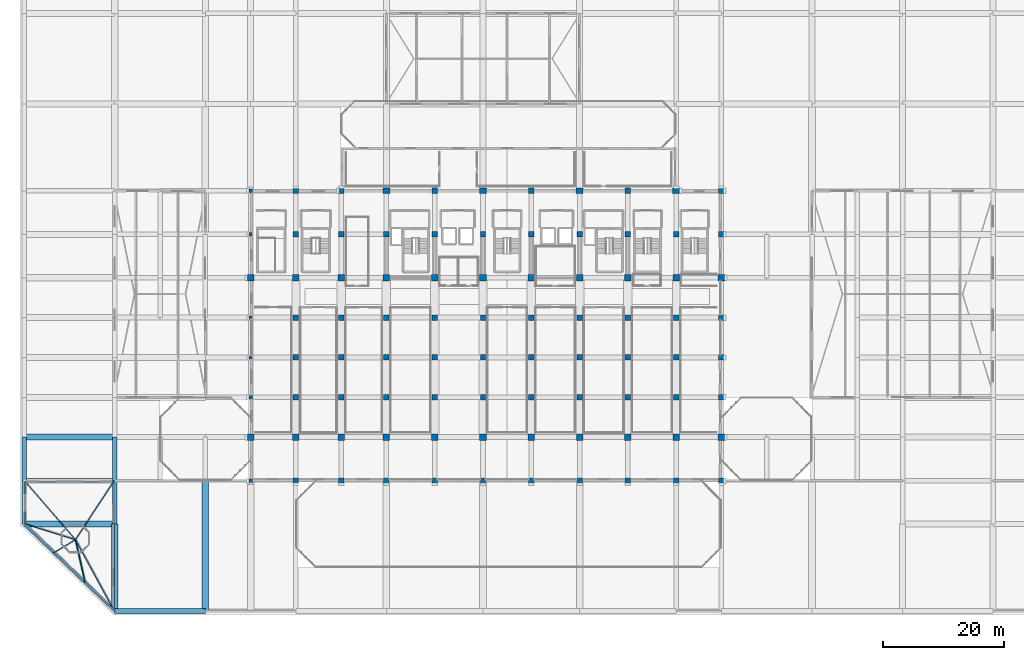
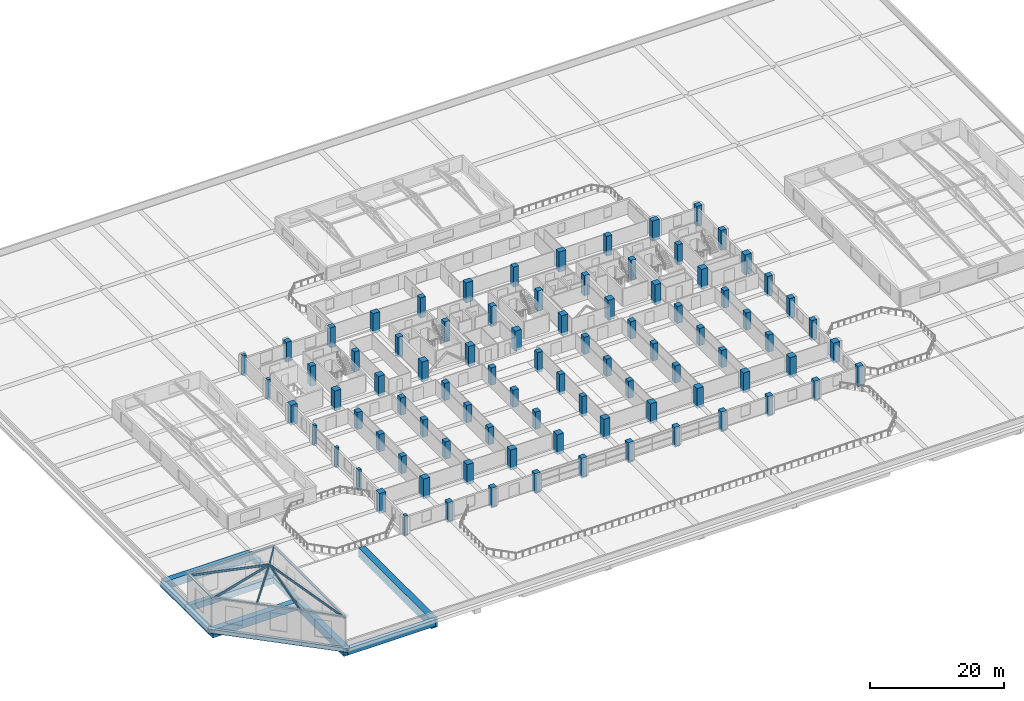
# One storey, part 1 of 49: 88 columns, 13 beams, 12 members.
"""IFC4 building model written with IfcOpenShell, lengths in metres."""

from ifc_helpers import new_model, si_unit, direction, frame, origin, origin_2d, place, context, subcontext, project, spatial, rectangle, i_section, extrude, material, material_profile, profile_set, type_object, element, save


model = new_model("IFC4")

# Units and contexts
model_context = context("Model", 3, precision=1e-05, world=origin(), true_north=direction((0.0, 1.0)))
body_context = subcontext(model_context, "Body", "Model", "MODEL_VIEW")
ifc_project = project(units=[si_unit("LENGTHUNIT", "METRE"), si_unit("AREAUNIT", "SQUARE_METRE"), si_unit("VOLUMEUNIT", "CUBIC_METRE"), si_unit("PLANEANGLEUNIT", "RADIAN"), si_unit("MASSUNIT", "GRAM", prefix="KILO")], contexts=[model_context])

# Site, building, storey
site_placement = place(None, origin())
site = spatial("IfcSite", under=ifc_project, at=site_placement, CompositionType="ELEMENT")
building_placement = place(site_placement, origin())
building = spatial("IfcBuilding", under=site, at=building_placement, Name="Akrevak Sports Hall", CompositionType="ELEMENT")
storey_placement = place(building_placement, frame((0.0, 0.0, 24.14990234375)))
storey = spatial("IfcBuildingStorey", under=building, at=storey_placement, Name="L04", CompositionType="ELEMENT", Elevation=24.14990234375)

# Columns
ifc_material_1 = material(Name="Concrete C50/60", Category="concrete")
ifc_material_profile_1 = material_profile(ifc_material_1, rectangle(XDim=1.10009765625, YDim=1.10009765625, at=origin_2d()), Name="RC 1100x1100", Category="concrete")
ifc_profile_set_1 = profile_set([ifc_material_profile_1], Name="Concrete C50/60")
column_type_1 = type_object("IfcColumnType", Name="STR-COL-RC1100", PredefinedType="COLUMN", material=ifc_profile_set_1)
for number, where, z_axis, x_axis, name in (
    (1, (37.5, 28.800048828125, -0.5), (0.0, 0.0, 1.0), (1.0, 0.0, 0.0), "Column 6/E (L04)"),
    (2, (37.5, 55.199951171875, -0.5), (0.0, 0.0, 1.0), (1.0, 0.0, 0.0), "Column 6/I (L04)"),
    (3, (45.0, 28.800048828125, -0.5), (0.0, 0.0, 1.0), (1.0, 0.0, 0.0), "Column 7/E (L04)"),
    (4, (45.0, 55.199951171875, -0.5), (0.0, 0.0, 1.0), (1.0, 0.0, 0.0), "Column 7/I (L04)"),
    (5, (52.5, 28.800048828125, -0.5), (0.0, 0.0, 1.0), (1.0, 0.0, 0.0), "Column 8/E (L04)"),
    (6, (52.5, 55.199951171875, -0.5), (0.0, 0.0, 1.0), (1.0, 0.0, 0.0), "Column 8/I (L04)"),
    (7, (60.0, 28.800048828125, -0.5), (0.0, 0.0, 1.0), (1.0, 0.0, 0.0), "Column 9/E (L04)"),
    (8, (60.0, 55.199951171875, -0.5), (0.0, 0.0, 1.0), (1.0, 0.0, 0.0), "Column 9/I (L04)"),
    (9, (68.0, 28.800048828125, -0.5), (0.0, 0.0, 1.0), (1.0, 0.0, 0.0), "Column 10/E (L04)"),
    (10, (68.0, 55.199951171875, -0.5), (0.0, 0.0, 1.0), (1.0, 0.0, 0.0), "Column 10/I (L04)"),
    (11, (76.0, 28.800048828125, -0.5), (0.0, 0.0, 1.0), (1.0, 0.0, 0.0), "Column 11/E (L04)"),
    (12, (76.0, 55.199951171875, -0.5), (0.0, 0.0, 1.0), (1.0, 0.0, 0.0), "Column 11/I (L04)"),
    (13, (84.0, 28.800048828125, -0.5), (0.0, 0.0, 1.0), (1.0, 0.0, 0.0), "Column 12/E (L04)"),
    (14, (84.0, 55.199951171875, -0.5), (0.0, 0.0, 1.0), (1.0, 0.0, 0.0), "Column 12/I (L04)"),
    (15, (92.0, 28.800048828125, -0.5), (0.0, 0.0, 1.0), (1.0, 0.0, 0.0), "Column 13/E (L04)"),
    (16, (92.0, 55.199951171875, -0.5), (0.0, 0.0, 1.0), (1.0, 0.0, 0.0), "Column 13/I (L04)"),
    (17, (100.0, 28.800048828125, -0.5), (0.0, 0.0, 1.0), (1.0, 0.0, 0.0), "Column 14/E (L04)"),
    (18, (100.0, 55.199951171875, -0.5), (0.0, 0.0, 1.0), (1.0, 0.0, 0.0), "Column 14/I (L04)"),
    (19, (108.0, 28.800048828125, -0.5), (0.0, 0.0, 1.0), (1.0, 0.0, 0.0), "Column 15/E (L04)"),
    (20, (108.0, 55.199951171875, -0.5), (0.0, 0.0, 1.0), (1.0, 0.0, 0.0), "Column 15/I (L04)"),
    (21, (115.5, 28.800048828125, -0.5), (0.0, 0.0, 1.0), (1.0, 0.0, 0.0), "Column 16/E (L04)"),
    (22, (115.5, 55.199951171875, -0.5), (0.0, 0.0, 1.0), (1.0, 0.0, 0.0), "Column 16/I (L04)"),
):
    element("IfcColumn", number, at=place(storey_placement, frame(where, z_axis=z_axis, x_axis=x_axis)), inside=storey, type_object=column_type_1, Name=name, PredefinedType="COLUMN", context=body_context, shape_type="SweptSolid", body=[
        extrude(rectangle(XDim=1.10009765625, YDim=1.10009765625, at=origin_2d()), origin(), (0.0, 0.0, 1.0), 3.64013671875),
    ])
ifc_material_profile_2 = material_profile(ifc_material_1, rectangle(XDim=1.199951171875, YDim=0.89990234375, at=origin_2d()), Name="RC 1200x900", Category="concrete")
ifc_profile_set_2 = profile_set([ifc_material_profile_2], Name="Concrete C50/60")
column_type_2 = type_object("IfcColumnType", Name="STR-COL-RC1200x900", PredefinedType="COLUMN", material=ifc_profile_set_2)
for number, where, z_axis, x_axis, name in (
    (23, (60.0, 69.60009765625, -0.5), (0.0, 0.0, 1.0), (1.0, 0.0, 0.0), "Column 9/K (L04)"),
    (24, (76.0, 69.60009765625, -0.5), (0.0, 0.0, 1.0), (1.0, 0.0, 0.0), "Column 11/K (L04)"),
    (25, (92.0, 69.60009765625, -0.5), (0.0, 0.0, 1.0), (1.0, 0.0, 0.0), "Column 13/K (L04)"),
    (26, (108.0, 69.60009765625, -0.5), (0.0, 0.0, 1.0), (1.0, 0.0, 0.0), "Column 15/K (L04)"),
):
    element("IfcColumn", number, at=place(storey_placement, frame(where, z_axis=z_axis, x_axis=x_axis)), inside=storey, type_object=column_type_2, Name=name, PredefinedType="COLUMN", context=body_context, shape_type="SweptSolid", body=[
        extrude(rectangle(XDim=1.199951171875, YDim=0.89990234375, at=origin_2d()), origin(), (0.0, 0.0, 1.0), 3.64013671875),
    ])
ifc_material_2 = material(Name="Concrete C40/50", Category="concrete")
ifc_material_profile_3 = material_profile(ifc_material_2, rectangle(XDim=0.550048828125, YDim=0.550048828125, at=origin_2d()), Name="RC 550x550", Category="concrete")
ifc_profile_set_3 = profile_set([ifc_material_profile_3], Name="Concrete C40/50")
column_type_3 = type_object("IfcColumnType", Name="STR-COL-RC550", PredefinedType="COLUMN", material=ifc_profile_set_3)
for number, where, z_axis, x_axis, name in (
    (27, (37.5, 42.0, -0.5), (0.0, 0.0, 1.0), (1.0, 0.0, 0.0), "Column 6/G (L04)"),
    (28, (37.5, 48.60009765625, -0.5), (0.0, 0.0, 1.0), (1.0, 0.0, 0.0), "Column 6/H (L04)"),
    (29, (37.5, 62.39990234375, -0.5), (0.0, 0.0, 1.0), (1.0, 0.0, 0.0), "Column 6/J (L04)"),
):
    element("IfcColumn", number, at=place(storey_placement, frame(where, z_axis=z_axis, x_axis=x_axis)), inside=storey, type_object=column_type_3, Name=name, PredefinedType="COLUMN", context=body_context, shape_type="SweptSolid", body=[
        extrude(rectangle(XDim=0.550048828125, YDim=0.550048828125, at=origin_2d()), origin(), (0.0, 0.0, 1.0), 3.64013671875),
    ])
ifc_material_profile_4 = material_profile(ifc_material_2, rectangle(XDim=0.60009765625, YDim=0.60009765625, at=origin_2d()), Name="RC 600x600", Category="concrete")
ifc_profile_set_4 = profile_set([ifc_material_profile_4], Name="Concrete C40/50")
column_type_4 = type_object("IfcColumnType", Name="STR-COL-RC600", PredefinedType="COLUMN", material=ifc_profile_set_4)
for number, where, z_axis, x_axis, name in (
    (30, (37.5, 21.60009765625, -0.5), (0.0, 0.0, 1.0), (1.0, 0.0, 0.0), "Column 6/D (L04)"),
    (31, (37.5, 35.39990234375, -0.5), (0.0, 0.0, 1.0), (1.0, 0.0, 0.0), "Column 6/F (L04)"),
    (32, (37.5, 69.60009765625, -0.5), (0.0, 0.0, 1.0), (1.0, 0.0, 0.0), "Column 6/K (L04)"),
):
    element("IfcColumn", number, at=place(storey_placement, frame(where, z_axis=z_axis, x_axis=x_axis)), inside=storey, type_object=column_type_4, Name=name, PredefinedType="COLUMN", context=body_context, shape_type="SweptSolid", body=[
        extrude(rectangle(XDim=0.60009765625, YDim=0.60009765625, at=origin_2d()), origin(), (0.0, 0.0, 1.0), 3.64013671875),
    ])
ifc_material_profile_5 = material_profile(ifc_material_2, rectangle(XDim=0.89990234375, YDim=0.89990234375, at=origin_2d()), Name="RC 900x900", Category="concrete")
ifc_profile_set_5 = profile_set([ifc_material_profile_5], Name="Concrete C40/50")
column_type_5 = type_object("IfcColumnType", Name="STR-COL-RC900", PredefinedType="COLUMN", material=ifc_profile_set_5)
column_placement = place(storey_placement, frame((45.0, 21.60009765625, -0.5), z_axis=(0.0, 0.0, 1.0), x_axis=(1.0, 0.0, 0.0)))
element("IfcColumn", 33, at=column_placement, inside=storey, type_object=column_type_5, Name="Column 7/D (L04)", PredefinedType="COLUMN", context=body_context, shape_type="SweptSolid", body=[
    extrude(rectangle(XDim=0.89990234375, YDim=0.89990234375, at=origin_2d()), origin(), (0.0, 0.0, 1.0), 3.64013671875),
])
for number, where, z_axis, x_axis, name in (
    (34, (45.0, 35.39990234375, 0.0), (0.0, 0.0, 1.0), (1.0, 0.0, 0.0), "Column 7/F (L04)"),
    (35, (45.0, 42.0, 0.0), (0.0, 0.0, 1.0), (1.0, 0.0, 0.0), "Column 7/G (L04)"),
    (36, (45.0, 48.60009765625, 0.0), (0.0, 0.0, 1.0), (1.0, 0.0, 0.0), "Column 7/H (L04)"),
):
    element("IfcColumn", number, at=place(storey_placement, frame(where, z_axis=z_axis, x_axis=x_axis)), inside=storey, type_object=column_type_5, Name=name, PredefinedType="COLUMN", context=body_context, shape_type="SweptSolid", body=[
        extrude(rectangle(XDim=0.89990234375, YDim=0.89990234375, at=origin_2d()), origin(), (0.0, 0.0, 1.0), 3.14013671875),
    ])
for number, where, z_axis, x_axis, name in (
    (37, (45.0, 62.39990234375, -0.5), (0.0, 0.0, 1.0), (1.0, 0.0, 0.0), "Column 7/J (L04)"),
    (38, (45.0, 69.60009765625, -0.5), (0.0, 0.0, 1.0), (1.0, 0.0, 0.0), "Column 7/K (L04)"),
    (39, (52.5, 21.60009765625, -0.5), (0.0, 0.0, 1.0), (1.0, 0.0, 0.0), "Column 8/D (L04)"),
):
    element("IfcColumn", number, at=place(storey_placement, frame(where, z_axis=z_axis, x_axis=x_axis)), inside=storey, type_object=column_type_5, Name=name, PredefinedType="COLUMN", context=body_context, shape_type="SweptSolid", body=[
        extrude(rectangle(XDim=0.89990234375, YDim=0.89990234375, at=origin_2d()), origin(), (0.0, 0.0, 1.0), 3.64013671875),
    ])
for number, where, z_axis, x_axis, name in (
    (40, (52.5, 35.39990234375, 0.0), (0.0, 0.0, 1.0), (1.0, 0.0, 0.0), "Column 8/F (L04)"),
    (41, (52.5, 42.0, 0.0), (0.0, 0.0, 1.0), (1.0, 0.0, 0.0), "Column 8/G (L04)"),
    (42, (52.5, 48.60009765625, 0.0), (0.0, 0.0, 1.0), (1.0, 0.0, 0.0), "Column 8/H (L04)"),
):
    element("IfcColumn", number, at=place(storey_placement, frame(where, z_axis=z_axis, x_axis=x_axis)), inside=storey, type_object=column_type_5, Name=name, PredefinedType="COLUMN", context=body_context, shape_type="SweptSolid", body=[
        extrude(rectangle(XDim=0.89990234375, YDim=0.89990234375, at=origin_2d()), origin(), (0.0, 0.0, 1.0), 3.14013671875),
    ])
for number, where, z_axis, x_axis, name in (
    (43, (52.5, 62.39990234375, -0.5), (0.0, 0.0, 1.0), (1.0, 0.0, 0.0), "Column 8/J (L04)"),
    (44, (52.5, 69.60009765625, -0.5), (0.0, 0.0, 1.0), (1.0, 0.0, 0.0), "Column 8/K (L04)"),
    (45, (60.0, 21.60009765625, -0.5), (0.0, 0.0, 1.0), (1.0, 0.0, 0.0), "Column 9/D (L04)"),
):
    element("IfcColumn", number, at=place(storey_placement, frame(where, z_axis=z_axis, x_axis=x_axis)), inside=storey, type_object=column_type_5, Name=name, PredefinedType="COLUMN", context=body_context, shape_type="SweptSolid", body=[
        extrude(rectangle(XDim=0.89990234375, YDim=0.89990234375, at=origin_2d()), origin(), (0.0, 0.0, 1.0), 3.64013671875),
    ])
for number, where, z_axis, x_axis, name in (
    (46, (60.0, 35.39990234375, 0.0), (0.0, 0.0, 1.0), (1.0, 0.0, 0.0), "Column 9/F (L04)"),
    (47, (60.0, 42.0, 0.0), (0.0, 0.0, 1.0), (1.0, 0.0, 0.0), "Column 9/G (L04)"),
    (48, (60.0, 48.60009765625, 0.0), (0.0, 0.0, 1.0), (1.0, 0.0, 0.0), "Column 9/H (L04)"),
):
    element("IfcColumn", number, at=place(storey_placement, frame(where, z_axis=z_axis, x_axis=x_axis)), inside=storey, type_object=column_type_5, Name=name, PredefinedType="COLUMN", context=body_context, shape_type="SweptSolid", body=[
        extrude(rectangle(XDim=0.89990234375, YDim=0.89990234375, at=origin_2d()), origin(), (0.0, 0.0, 1.0), 3.14013671875),
    ])
for number, where, z_axis, x_axis, name in (
    (49, (60.0, 62.39990234375, -0.5), (0.0, 0.0, 1.0), (1.0, 0.0, 0.0), "Column 9/J (L04)"),
    (50, (68.0, 21.60009765625, -0.5), (0.0, 0.0, 1.0), (1.0, 0.0, 0.0), "Column 10/D (L04)"),
):
    element("IfcColumn", number, at=place(storey_placement, frame(where, z_axis=z_axis, x_axis=x_axis)), inside=storey, type_object=column_type_5, Name=name, PredefinedType="COLUMN", context=body_context, shape_type="SweptSolid", body=[
        extrude(rectangle(XDim=0.89990234375, YDim=0.89990234375, at=origin_2d()), origin(), (0.0, 0.0, 1.0), 3.64013671875),
    ])
for number, where, z_axis, x_axis, name in (
    (51, (68.0, 35.39990234375, 0.0), (0.0, 0.0, 1.0), (1.0, 0.0, 0.0), "Column 10/F (L04)"),
    (52, (68.0, 42.0, 0.0), (0.0, 0.0, 1.0), (1.0, 0.0, 0.0), "Column 10/G (L04)"),
    (53, (68.0, 48.60009765625, 0.0), (0.0, 0.0, 1.0), (1.0, 0.0, 0.0), "Column 10/H (L04)"),
):
    element("IfcColumn", number, at=place(storey_placement, frame(where, z_axis=z_axis, x_axis=x_axis)), inside=storey, type_object=column_type_5, Name=name, PredefinedType="COLUMN", context=body_context, shape_type="SweptSolid", body=[
        extrude(rectangle(XDim=0.89990234375, YDim=0.89990234375, at=origin_2d()), origin(), (0.0, 0.0, 1.0), 3.14013671875),
    ])
for number, where, z_axis, x_axis, name in (
    (54, (68.0, 62.39990234375, -0.5), (0.0, 0.0, 1.0), (1.0, 0.0, 0.0), "Column 10/J (L04)"),
    (55, (68.0, 69.60009765625, -0.5), (0.0, 0.0, 1.0), (1.0, 0.0, 0.0), "Column 10/K (L04)"),
    (56, (76.0, 21.60009765625, -0.5), (0.0, 0.0, 1.0), (1.0, 0.0, 0.0), "Column 11/D (L04)"),
    (57, (76.0, 35.39990234375, -0.5), (0.0, 0.0, 1.0), (1.0, 0.0, 0.0), "Column 11/F (L04)"),
    (58, (76.0, 42.0, -0.5), (0.0, 0.0, 1.0), (1.0, 0.0, 0.0), "Column 11/G (L04)"),
    (59, (76.0, 48.60009765625, -0.5), (0.0, 0.0, 1.0), (1.0, 0.0, 0.0), "Column 11/H (L04)"),
    (60, (76.0, 62.39990234375, -0.5), (0.0, 0.0, 1.0), (1.0, 0.0, 0.0), "Column 11/J (L04)"),
    (61, (84.0, 21.60009765625, -0.5), (0.0, 0.0, 1.0), (1.0, 0.0, 0.0), "Column 12/D (L04)"),
):
    element("IfcColumn", number, at=place(storey_placement, frame(where, z_axis=z_axis, x_axis=x_axis)), inside=storey, type_object=column_type_5, Name=name, PredefinedType="COLUMN", context=body_context, shape_type="SweptSolid", body=[
        extrude(rectangle(XDim=0.89990234375, YDim=0.89990234375, at=origin_2d()), origin(), (0.0, 0.0, 1.0), 3.64013671875),
    ])
for number, where, z_axis, x_axis, name in (
    (62, (84.0, 35.39990234375, 0.0), (0.0, 0.0, 1.0), (1.0, 0.0, 0.0), "Column 12/F (L04)"),
    (63, (84.0, 42.0, 0.0), (0.0, 0.0, 1.0), (1.0, 0.0, 0.0), "Column 12/G (L04)"),
    (64, (84.0, 48.60009765625, 0.0), (0.0, 0.0, 1.0), (1.0, 0.0, 0.0), "Column 12/H (L04)"),
):
    element("IfcColumn", number, at=place(storey_placement, frame(where, z_axis=z_axis, x_axis=x_axis)), inside=storey, type_object=column_type_5, Name=name, PredefinedType="COLUMN", context=body_context, shape_type="SweptSolid", body=[
        extrude(rectangle(XDim=0.89990234375, YDim=0.89990234375, at=origin_2d()), origin(), (0.0, 0.0, 1.0), 3.14013671875),
    ])
for number, where, z_axis, x_axis, name in (
    (65, (84.0, 62.39990234375, -0.5), (0.0, 0.0, 1.0), (1.0, 0.0, 0.0), "Column 12/J (L04)"),
    (66, (84.0, 69.60009765625, -0.5), (0.0, 0.0, 1.0), (1.0, 0.0, 0.0), "Column 12/K (L04)"),
    (67, (92.0, 21.60009765625, -0.5), (0.0, 0.0, 1.0), (1.0, 0.0, 0.0), "Column 13/D (L04)"),
):
    element("IfcColumn", number, at=place(storey_placement, frame(where, z_axis=z_axis, x_axis=x_axis)), inside=storey, type_object=column_type_5, Name=name, PredefinedType="COLUMN", context=body_context, shape_type="SweptSolid", body=[
        extrude(rectangle(XDim=0.89990234375, YDim=0.89990234375, at=origin_2d()), origin(), (0.0, 0.0, 1.0), 3.64013671875),
    ])
for number, where, z_axis, x_axis, name in (
    (68, (92.0, 35.39990234375, 0.0), (0.0, 0.0, 1.0), (1.0, 0.0, 0.0), "Column 13/F (L04)"),
    (69, (92.0, 42.0, 0.0), (0.0, 0.0, 1.0), (1.0, 0.0, 0.0), "Column 13/G (L04)"),
    (70, (92.0, 48.60009765625, 0.0), (0.0, 0.0, 1.0), (1.0, 0.0, 0.0), "Column 13/H (L04)"),
):
    element("IfcColumn", number, at=place(storey_placement, frame(where, z_axis=z_axis, x_axis=x_axis)), inside=storey, type_object=column_type_5, Name=name, PredefinedType="COLUMN", context=body_context, shape_type="SweptSolid", body=[
        extrude(rectangle(XDim=0.89990234375, YDim=0.89990234375, at=origin_2d()), origin(), (0.0, 0.0, 1.0), 3.14013671875),
    ])
for number, where, z_axis, x_axis, name in (
    (71, (92.0, 62.39990234375, -0.5), (0.0, 0.0, 1.0), (1.0, 0.0, 0.0), "Column 13/J (L04)"),
    (72, (100.0, 21.60009765625, -0.5), (0.0, 0.0, 1.0), (1.0, 0.0, 0.0), "Column 14/D (L04)"),
):
    element("IfcColumn", number, at=place(storey_placement, frame(where, z_axis=z_axis, x_axis=x_axis)), inside=storey, type_object=column_type_5, Name=name, PredefinedType="COLUMN", context=body_context, shape_type="SweptSolid", body=[
        extrude(rectangle(XDim=0.89990234375, YDim=0.89990234375, at=origin_2d()), origin(), (0.0, 0.0, 1.0), 3.64013671875),
    ])
for number, where, z_axis, x_axis, name in (
    (73, (100.0, 35.39990234375, 0.0), (0.0, 0.0, 1.0), (1.0, 0.0, 0.0), "Column 14/F (L04)"),
    (74, (100.0, 42.0, 0.0), (0.0, 0.0, 1.0), (1.0, 0.0, 0.0), "Column 14/G (L04)"),
    (75, (100.0, 48.60009765625, 0.0), (0.0, 0.0, 1.0), (1.0, 0.0, 0.0), "Column 14/H (L04)"),
):
    element("IfcColumn", number, at=place(storey_placement, frame(where, z_axis=z_axis, x_axis=x_axis)), inside=storey, type_object=column_type_5, Name=name, PredefinedType="COLUMN", context=body_context, shape_type="SweptSolid", body=[
        extrude(rectangle(XDim=0.89990234375, YDim=0.89990234375, at=origin_2d()), origin(), (0.0, 0.0, 1.0), 3.14013671875),
    ])
for number, where, z_axis, x_axis, name in (
    (76, (100.0, 62.39990234375, -0.5), (0.0, 0.0, 1.0), (1.0, 0.0, 0.0), "Column 14/J (L04)"),
    (77, (100.0, 69.60009765625, -0.5), (0.0, 0.0, 1.0), (1.0, 0.0, 0.0), "Column 14/K (L04)"),
    (78, (108.0, 21.60009765625, -0.5), (0.0, 0.0, 1.0), (1.0, 0.0, 0.0), "Column 15/D (L04)"),
):
    element("IfcColumn", number, at=place(storey_placement, frame(where, z_axis=z_axis, x_axis=x_axis)), inside=storey, type_object=column_type_5, Name=name, PredefinedType="COLUMN", context=body_context, shape_type="SweptSolid", body=[
        extrude(rectangle(XDim=0.89990234375, YDim=0.89990234375, at=origin_2d()), origin(), (0.0, 0.0, 1.0), 3.64013671875),
    ])
for number, where, z_axis, x_axis, name in (
    (79, (108.0, 35.39990234375, 0.0), (0.0, 0.0, 1.0), (1.0, 0.0, 0.0), "Column 15/F (L04)"),
    (80, (108.0, 42.0, 0.0), (0.0, 0.0, 1.0), (1.0, 0.0, 0.0), "Column 15/G (L04)"),
    (81, (108.0, 48.60009765625, 0.0), (0.0, 0.0, 1.0), (1.0, 0.0, 0.0), "Column 15/H (L04)"),
):
    element("IfcColumn", number, at=place(storey_placement, frame(where, z_axis=z_axis, x_axis=x_axis)), inside=storey, type_object=column_type_5, Name=name, PredefinedType="COLUMN", context=body_context, shape_type="SweptSolid", body=[
        extrude(rectangle(XDim=0.89990234375, YDim=0.89990234375, at=origin_2d()), origin(), (0.0, 0.0, 1.0), 3.14013671875),
    ])
for number, where, z_axis, x_axis, name in (
    (82, (108.0, 62.39990234375, -0.5), (0.0, 0.0, 1.0), (1.0, 0.0, 0.0), "Column 15/J (L04)"),
    (83, (115.5, 21.60009765625, -0.5), (0.0, 0.0, 1.0), (1.0, 0.0, 0.0), "Column 16/D (L04)"),
    (84, (115.5, 35.39990234375, -0.5), (0.0, 0.0, 1.0), (1.0, 0.0, 0.0), "Column 16/F (L04)"),
    (85, (115.5, 42.0, -0.5), (0.0, 0.0, 1.0), (1.0, 0.0, 0.0), "Column 16/G (L04)"),
    (86, (115.5, 48.60009765625, -0.5), (0.0, 0.0, 1.0), (1.0, 0.0, 0.0), "Column 16/H (L04)"),
    (87, (115.5, 62.39990234375, -0.5), (0.0, 0.0, 1.0), (1.0, 0.0, 0.0), "Column 16/J (L04)"),
    (88, (115.5, 69.60009765625, -0.5), (0.0, 0.0, 1.0), (1.0, 0.0, 0.0), "Column 16/K (L04)"),
):
    element("IfcColumn", number, at=place(storey_placement, frame(where, z_axis=z_axis, x_axis=x_axis)), inside=storey, type_object=column_type_5, Name=name, PredefinedType="COLUMN", context=body_context, shape_type="SweptSolid", body=[
        extrude(rectangle(XDim=0.89990234375, YDim=0.89990234375, at=origin_2d()), origin(), (0.0, 0.0, 1.0), 3.64013671875),
    ])

# Beams
ifc_material_profile_6 = material_profile(ifc_material_1, rectangle(XDim=1.0, YDim=1.449951171875, at=origin_2d()), Name="BM 1000x1450", Category="concrete")
ifc_profile_set_6 = profile_set([ifc_material_profile_6], Name="Concrete C50/60")
beam_type_1 = type_object("IfcBeamType", Name="STR-BM-LG1000x1450", PredefinedType="BEAM", material=ifc_profile_set_6)
for number, where, z_axis, x_axis, name in (
    (89, (0.0, 14.39990234375, -0.724853515625), (1.0, 0.0, 0.0), (0.0, 1.0, 0.0), "Girder C/1-3 (L04)"),
    (90, (0.0, 28.800048828125, -0.724853515625), (1.0, 0.0, 0.0), (0.0, 1.0, 0.0), "Girder E/1-3 (L04)"),
):
    element("IfcBeam", number, at=place(storey_placement, frame(where, z_axis=z_axis, x_axis=x_axis)), inside=storey, type_object=beam_type_1, Name=name, PredefinedType="BEAM", context=body_context, shape_type="SweptSolid", body=[
        extrude(rectangle(XDim=1.0, YDim=1.449951171875, at=origin_2d()), origin(), (0.0, 0.0, 1.0), 15.0),
    ])
beam_1_placement = place(storey_placement, frame((15.0, 0.0, -0.724853515625), z_axis=(0.0, 1.0, 0.0), x_axis=(-1.0, 0.0, 0.0)))
element("IfcBeam", 91, at=beam_1_placement, inside=storey, type_object=beam_type_1, Name="Girder 3/A-C (L04)", PredefinedType="BEAM", context=body_context, shape_type="SweptSolid", body=[
    extrude(rectangle(XDim=1.0, YDim=1.449951171875, at=origin_2d()), origin(), (0.0, 0.0, 1.0), 14.39990234375),
])
ifc_material_profile_7 = material_profile(ifc_material_1, rectangle(XDim=1.10009765625, YDim=1.64990234375, at=origin_2d()), Name="BM 1100x1650", Category="concrete")
ifc_profile_set_7 = profile_set([ifc_material_profile_7], Name="Concrete C50/60")
beam_type_2 = type_object("IfcBeamType", Name="STR-BM-LG1100x1650", PredefinedType="BEAM", material=ifc_profile_set_7)
beam_2_placement = place(storey_placement, frame((30.0, 0.0, -0.824951171875), z_axis=(0.0, 1.0, 0.0), x_axis=(-1.0, 0.0, 0.0)))
element("IfcBeam", 92, at=beam_2_placement, inside=storey, type_object=beam_type_2, Name="Girder 5/A-D (L04)", PredefinedType="BEAM", context=body_context, shape_type="SweptSolid", body=[
    extrude(rectangle(XDim=1.10009765625, YDim=1.64990234375, at=origin_2d()), origin(), (0.0, 0.0, 1.0), 21.60009765625),
])
ifc_material_profile_8 = material_profile(ifc_material_1, rectangle(XDim=0.75, YDim=1.0, at=origin_2d()), Name="BM 750x1000", Category="concrete")
ifc_profile_set_8 = profile_set([ifc_material_profile_8], Name="Concrete C50/60")
beam_type_3 = type_object("IfcBeamType", Name="STR-BM-RC750x1000", PredefinedType="BEAM", material=ifc_profile_set_8)
beam_3_placement = place(storey_placement, frame((0.0, 14.39990234375, -0.5), z_axis=(0.0, 1.0, 0.0), x_axis=(-1.0, 0.0, 0.0)))
element("IfcBeam", 93, at=beam_3_placement, inside=storey, type_object=beam_type_3, Name="Girder 1/C-D (L04)", PredefinedType="BEAM", context=body_context, shape_type="SweptSolid", body=[
    extrude(rectangle(XDim=0.75, YDim=1.0, at=origin_2d()), origin(), (0.0, 0.0, 1.0), 7.2001953125),
])
beam_4_placement = place(storey_placement, frame((0.0, 21.60009765625, -0.5), z_axis=(0.0, 1.0, 0.0), x_axis=(-1.0, 0.0, 0.0)))
element("IfcBeam", 94, at=beam_4_placement, inside=storey, type_object=beam_type_3, Name="Girder 1/D-E (L04)", PredefinedType="BEAM", context=body_context, shape_type="SweptSolid", body=[
    extrude(rectangle(XDim=0.75, YDim=1.0, at=origin_2d()), origin(), (0.0, 0.0, 1.0), 7.199951171875),
])
beam_5_placement = place(storey_placement, frame((15.0, 14.39990234375, -0.5), z_axis=(0.0, 1.0, 0.0), x_axis=(-1.0, 0.0, 0.0)))
element("IfcBeam", 95, at=beam_5_placement, inside=storey, type_object=beam_type_3, Name="Girder 3/C-D (L04)", PredefinedType="BEAM", context=body_context, shape_type="SweptSolid", body=[
    extrude(rectangle(XDim=0.75, YDim=1.0, at=origin_2d()), origin(), (0.0, 0.0, 1.0), 7.2001953125),
])
beam_6_placement = place(storey_placement, frame((15.0, 21.60009765625, -0.5), z_axis=(0.0, 1.0, 0.0), x_axis=(-1.0, 0.0, 0.0)))
element("IfcBeam", 96, at=beam_6_placement, inside=storey, type_object=beam_type_3, Name="Girder 3/D-E (L04)", PredefinedType="BEAM", context=body_context, shape_type="SweptSolid", body=[
    extrude(rectangle(XDim=0.75, YDim=1.0, at=origin_2d()), origin(), (0.0, 0.0, 1.0), 7.199951171875),
])

# Members
ifc_material_3 = material(Name="Steel S355", Category="steel")
ifc_material_profile_9 = material_profile(ifc_material_3, i_section(OverallWidth=0.280029296875, OverallDepth=0.27001953125, WebThickness=0.008056640625, FlangeThickness=0.012939453125, FilletRadius=0.02392578125, at=origin_2d()), Name="HEA 280", Category="steel")
ifc_profile_set_9 = profile_set([ifc_material_profile_9], Name="Steel S355")
member_type_1 = type_object("IfcMemberType", Name="STR-MEM-CHORD-HEA280", PredefinedType="CHORD", material=ifc_profile_set_9)
member_1_placement = place(storey_placement, frame((14.81005859375, 0.18994140625, 5.530029296875), z_axis=(0.0, 1.0, 0.0), x_axis=(-1.0, 0.0, 0.0)))
element("IfcMember", 97, at=member_1_placement, inside=storey, type_object=member_type_1, Name="Rotunda Drum Collar Ring Beam 1", PredefinedType="CHORD", context=body_context, shape_type="SweptSolid", body=[
    extrude(i_section(OverallWidth=0.280029296875, OverallDepth=0.27001953125, WebThickness=0.008056640625, FlangeThickness=0.012939453125, FilletRadius=0.02392578125, at=origin_2d()), origin(), (0.0, 0.0, 1.0), 21.219970703125),
])
member_2_placement = place(storey_placement, frame((14.81005859375, 21.409912109375, 5.530029296875), z_axis=(-1.0, 0.0, 0.0), x_axis=(0.0, -1.0, 0.0)))
element("IfcMember", 98, at=member_2_placement, inside=storey, type_object=member_type_1, Name="Rotunda Drum Collar Ring Beam 2", PredefinedType="CHORD", context=body_context, shape_type="SweptSolid", body=[
    extrude(i_section(OverallWidth=0.280029296875, OverallDepth=0.27001953125, WebThickness=0.008056640625, FlangeThickness=0.012939453125, FilletRadius=0.02392578125, at=origin_2d()), origin(), (0.0, 0.0, 1.0), 14.6201171875),
])
member_3_placement = place(storey_placement, frame((0.18994140625, 21.409912109375, 5.530029296875), z_axis=(0.0, -1.0, 0.0), x_axis=(1.0, 0.0, 0.0)))
element("IfcMember", 99, at=member_3_placement, inside=storey, type_object=member_type_1, Name="Rotunda Drum Collar Ring Beam 3", PredefinedType="CHORD", context=body_context, shape_type="SweptSolid", body=[
    extrude(i_section(OverallWidth=0.280029296875, OverallDepth=0.27001953125, WebThickness=0.008056640625, FlangeThickness=0.012939453125, FilletRadius=0.02392578125, at=origin_2d()), origin(), (0.0, 0.0, 1.0), 7.010009765625),
])
member_4_placement = place(storey_placement, frame((0.18994140625, 14.39990234375, 5.530029296875), z_axis=(0.721074548609, -0.692857485598, 0.0), x_axis=(0.692857485598, 0.721074548609, 0.0)))
element("IfcMember", 100, at=member_4_placement, inside=storey, type_object=member_type_1, Name="Rotunda Drum Collar Ring Beam 4", PredefinedType="CHORD", context=body_context, shape_type="SweptSolid", body=[
    extrude(i_section(OverallWidth=0.280029296875, OverallDepth=0.27001953125, WebThickness=0.008056640625, FlangeThickness=0.012939453125, FilletRadius=0.02392578125, at=origin_2d()), origin(), (0.0, 0.0, 1.0), 6.739990234375),
])
member_5_placement = place(storey_placement, frame((5.050048828125, 9.72998046875, 5.530029296875), z_axis=(0.721383801573, -0.692535494273, 0.0), x_axis=(0.692535494273, 0.721383801573, 0.0)))
element("IfcMember", 101, at=member_5_placement, inside=storey, type_object=member_type_1, Name="Rotunda Drum Collar Ring Beam 5", PredefinedType="CHORD", context=body_context, shape_type="SweptSolid", body=[
    extrude(i_section(OverallWidth=0.280029296875, OverallDepth=0.27001953125, WebThickness=0.008056640625, FlangeThickness=0.012939453125, FilletRadius=0.02392578125, at=origin_2d()), origin(), (0.0, 0.0, 1.0), 6.93115234375),
])
member_6_placement = place(storey_placement, frame((10.050048828125, 4.929931640625, 5.530029296875), z_axis=(0.708595307436, -0.705615114832, 0.0), x_axis=(0.705615114832, 0.708595307436, 0.0)))
element("IfcMember", 102, at=member_6_placement, inside=storey, type_object=member_type_1, Name="Rotunda Drum Collar Ring Beam 6", PredefinedType="CHORD", context=body_context, shape_type="SweptSolid", body=[
    extrude(i_section(OverallWidth=0.280029296875, OverallDepth=0.27001953125, WebThickness=0.008056640625, FlangeThickness=0.012939453125, FilletRadius=0.02392578125, at=origin_2d()), origin(), (0.0, 0.0, 1.0), 6.717529296875),
])
ifc_material_profile_10 = material_profile(ifc_material_3, i_section(OverallWidth=0.169921875, OverallDepth=0.360107421875, WebThickness=0.008056640625, FlangeThickness=0.0126953125, FilletRadius=0.01806640625, at=origin_2d()), Name="IPE 360", Category="steel")
ifc_profile_set_10 = profile_set([ifc_material_profile_10], Name="Steel S355")
member_type_2 = type_object("IfcMemberType", Name="STR-MEM-RAF-IPE360", PredefinedType="RAFTER", material=ifc_profile_set_10)
member_7_placement = place(storey_placement, frame((14.81005859375, 0.18994140625, 5.300048828125), z_axis=(-0.447732650673, 0.823799667366, 0.347691791057), x_axis=(-0.878617600427, -0.477526033028, 0.0)))
element("IfcMember", 103, at=member_7_placement, inside=storey, type_object=member_type_2, Name="Rotunda Cupola Radial Rib 1", PredefinedType="RAFTER", context=body_context, shape_type="SweptSolid", body=[
    extrude(i_section(OverallWidth=0.169921875, OverallDepth=0.360107421875, WebThickness=0.008056640625, FlangeThickness=0.0126953125, FilletRadius=0.01806640625, at=origin_2d()), origin(), (0.0, 0.0, 1.0), 14.09326171875),
])
member_8_placement = place(storey_placement, frame((14.81005859375, 21.409912109375, 5.300048828125), z_axis=(-0.504921443184, -0.768966874821, 0.392102386681), x_axis=(0.835904808913, -0.548874439591, 0.0)))
element("IfcMember", 104, at=member_8_placement, inside=storey, type_object=member_type_2, Name="Rotunda Cupola Radial Rib 2", PredefinedType="RAFTER", context=body_context, shape_type="SweptSolid", body=[
    extrude(i_section(OverallWidth=0.169921875, OverallDepth=0.360107421875, WebThickness=0.008056640625, FlangeThickness=0.0126953125, FilletRadius=0.01806640625, at=origin_2d()), origin(), (0.0, 0.0, 1.0), 12.4970703125),
])
member_9_placement = place(storey_placement, frame((0.18994140625, 21.409912109375, 5.300048828125), z_axis=(0.610278628131, -0.70573439569, 0.359859637617), x_axis=(0.75640891172, 0.654099043166, 0.0)))
element("IfcMember", 105, at=member_9_placement, inside=storey, type_object=member_type_2, Name="Rotunda Cupola Radial Rib 3", PredefinedType="RAFTER", context=body_context, shape_type="SweptSolid", body=[
    extrude(i_section(OverallWidth=0.169921875, OverallDepth=0.360107421875, WebThickness=0.008056640625, FlangeThickness=0.0126953125, FilletRadius=0.01806640625, at=origin_2d()), origin(), (0.0, 0.0, 1.0), 13.616943359375),
])
member_10_placement = place(storey_placement, frame((0.18994140625, 14.39990234375, 5.300048828125), z_axis=(0.831722498671, -0.260209556623, 0.490437225184), x_axis=(0.298584700903, 0.954383139199, 0.0)))
element("IfcMember", 106, at=member_10_placement, inside=storey, type_object=member_type_2, Name="Rotunda Cupola Radial Rib 4", PredefinedType="RAFTER", context=body_context, shape_type="SweptSolid", body=[
    extrude(i_section(OverallWidth=0.169921875, OverallDepth=0.360107421875, WebThickness=0.008056640625, FlangeThickness=0.0126953125, FilletRadius=0.01806640625, at=origin_2d()), origin(), (0.0, 0.0, 1.0), 9.991455078125),
])
member_11_placement = place(storey_placement, frame((5.050048828125, 9.72998046875, 5.300048828125), z_axis=(0.544134801281, 0.326496283353, 0.772863179995), x_axis=(-0.514513602648, 0.857482217127, 0.0)))
element("IfcMember", 107, at=member_11_placement, inside=storey, type_object=member_type_2, Name="Rotunda Cupola Radial Rib 5", PredefinedType="RAFTER", context=body_context, shape_type="SweptSolid", body=[
    extrude(i_section(OverallWidth=0.169921875, OverallDepth=0.360107421875, WebThickness=0.008056640625, FlangeThickness=0.0126953125, FilletRadius=0.01806640625, at=origin_2d()), origin(), (0.0, 0.0, 1.0), 6.34033203125),
])
member_12_placement = place(storey_placement, frame((10.050048828125, 4.929931640625, 5.300048828125), z_axis=(-0.180663038002, 0.80073364142, 0.571127395769), x_axis=(-0.975479667935, -0.22008956687, 0.0)))
element("IfcMember", 108, at=member_12_placement, inside=storey, type_object=member_type_2, Name="Rotunda Cupola Radial Rib 6", PredefinedType="RAFTER", context=body_context, shape_type="SweptSolid", body=[
    extrude(i_section(OverallWidth=0.169921875, OverallDepth=0.360107421875, WebThickness=0.008056640625, FlangeThickness=0.0126953125, FilletRadius=0.01806640625, at=origin_2d()), origin(), (0.0, 0.0, 1.0), 8.579833984375),
])

# Beams
ifc_material_profile_11 = material_profile(ifc_material_1, rectangle(XDim=0.75, YDim=1.14990234375, at=origin_2d()), Name="SPD 750x1150", Category="concrete")
ifc_profile_set_11 = profile_set([ifc_material_profile_11], Name="Concrete C50/60")
beam_type_4 = type_object("IfcBeamType", Name="STR-SPD-LSP750x1150", PredefinedType="SPANDREL", material=ifc_profile_set_11)
for number, where, z_axis, x_axis, name in (
    (109, (15.0, 0.0, -0.574951171875), (1.0, 0.0, 0.0), (0.0, 1.0, 0.0), "Girder A/3-5 (L04)"),
    (110, (0.0, 21.60009765625, -0.574951171875), (1.0, 0.0, 0.0), (0.0, 1.0, 0.0), "Girder D/1-3 (L04)"),
):
    element("IfcBeam", number, at=place(storey_placement, frame(where, z_axis=z_axis, x_axis=x_axis)), inside=storey, type_object=beam_type_4, Name=name, PredefinedType="SPANDREL", context=body_context, shape_type="SweptSolid", body=[
        extrude(rectangle(XDim=0.75, YDim=1.14990234375, at=origin_2d()), origin(), (0.0, 0.0, 1.0), 15.0),
    ])
ifc_material_profile_12 = material_profile(ifc_material_2, rectangle(XDim=0.35009765625, YDim=0.75, at=origin_2d()), Name="SPD 350x750", Category="concrete")
ifc_profile_set_12 = profile_set([ifc_material_profile_12], Name="Concrete C40/50")
beam_type_5 = type_object("IfcBeamType", Name="STR-SPD-RC350x750", PredefinedType="SPANDREL", material=ifc_profile_set_12)
for number, where, z_axis, x_axis, name in (
    (111, (15.0, 0.0, -0.375), (-0.721383801573, 0.692535494273, 0.0), (-0.692535494273, -0.721383801573, 0.0), "Chamfer Colonnade Spandrel Girder 1 (L04)"),
    (112, (10.0, 4.800048828125, -0.375), (-0.721383801573, 0.692535494273, 0.0), (-0.692535494273, -0.721383801573, 0.0), "Chamfer Colonnade Spandrel Girder 2 (L04)"),
):
    element("IfcBeam", number, at=place(storey_placement, frame(where, z_axis=z_axis, x_axis=x_axis)), inside=storey, type_object=beam_type_5, Name=name, PredefinedType="SPANDREL", context=body_context, shape_type="SweptSolid", body=[
        extrude(rectangle(XDim=0.35009765625, YDim=0.75, at=origin_2d()), origin(), (0.0, 0.0, 1.0), 6.93115234375),
    ])
beam_7_placement = place(storey_placement, frame((5.0, 9.60009765625, -0.375), z_axis=(-0.721401399021, 0.692517163318, 0.0), x_axis=(-0.692517163318, -0.721401399021, 0.0)))
element("IfcBeam", 113, at=beam_7_placement, inside=storey, type_object=beam_type_5, Name="Chamfer Colonnade Spandrel Girder 3 (L04)", PredefinedType="SPANDREL", context=body_context, shape_type="SweptSolid", body=[
    extrude(rectangle(XDim=0.35009765625, YDim=0.75, at=origin_2d()), origin(), (0.0, 0.0, 1.0), 6.930908203125),
])

save(model, "model.ifc")
